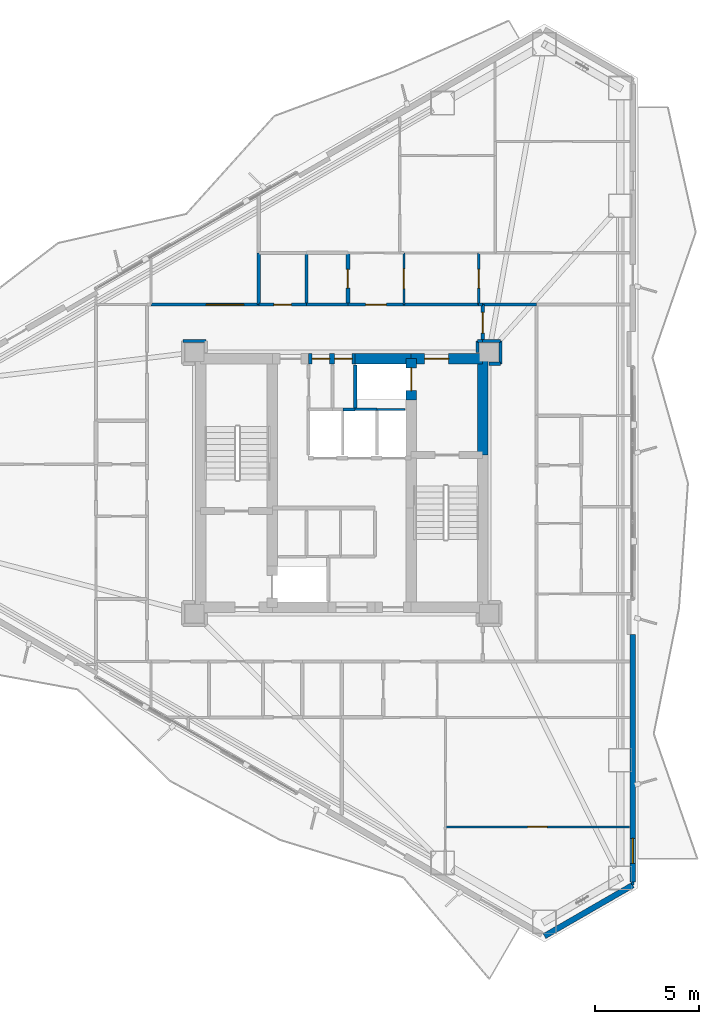
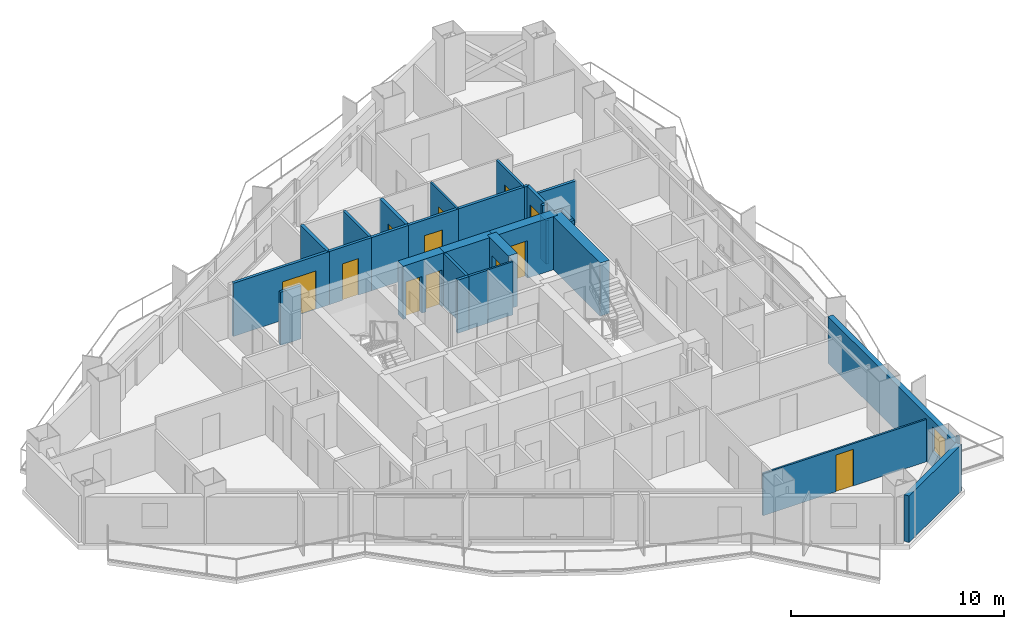
# One storey, part 18 of 23: 32 walls, 12 doors, 1 window, 13 openings.
"""IFC4 building model written with IfcOpenShell, lengths in metres."""

from ifc_helpers import new_model, si_unit, direction, frame, frame_2d, origin, place, context, subcontext, project, spatial, rectangle, extrude, material, layer, layer_set, type_object, element, fill, save


model = new_model("IFC4")

# Units and contexts
model_context = context("Model", 3, precision=1e-05, world=origin(), true_north=direction((0.0, 1.0)))
body_context = subcontext(model_context, "Body", "Model", "MODEL_VIEW")
ifc_project = project(units=[si_unit("LENGTHUNIT", "METRE"), si_unit("AREAUNIT", "SQUARE_METRE"), si_unit("VOLUMEUNIT", "CUBIC_METRE"), si_unit("PLANEANGLEUNIT", "RADIAN"), si_unit("MASSUNIT", "GRAM", prefix="KILO")], contexts=[model_context])

# Site, building, storey
site_placement = place(None, origin())
site = spatial("IfcSite", under=ifc_project, at=site_placement, CompositionType="ELEMENT")
building_placement = place(site_placement, origin())
building = spatial("IfcBuilding", under=site, at=building_placement, Name="Mersakhor Tower and Convention Hall", CompositionType="ELEMENT")
storey_placement = place(building_placement, frame((0.0, 0.0, 80.10009765625)))
storey = spatial("IfcBuildingStorey", under=building, at=storey_placement, Name="L21", CompositionType="ELEMENT", Elevation=80.10009765625)

# Wall
ifc_material_1 = material(Name="Precast concrete C45/55", Category="concrete")
ifc_layer_1 = layer(ifc_material_1, 0.27490234375)
ifc_layer_set_1 = layer_set([ifc_layer_1], Name="Precast concrete C45/55")
wall_type_1 = type_object("IfcWallType", Name="WL-EXT-275", PredefinedType="SOLIDWALL", material=ifc_layer_set_1)
wall_1_placement = place(storey_placement, frame((43.03466796875, 7.355712890625, 0.0), z_axis=(0.0, 0.0, 1.0), x_axis=(-0.866011848704, -0.500023477353, 0.0)))
element("IfcWall", 1, at=wall_1_placement, inside=storey, type_object=wall_type_1, Name="L21 Chamfer Braced Spandrel Wall C2", PredefinedType="SOLIDWALL", context=body_context, shape_type="SweptSolid", body=[
    extrude(rectangle(XDim=4.914306640625, YDim=0.27490234375, at=frame_2d((2.45703125, 0.0))), origin(), (0.0, 0.0, 1.0), 2.669921875),
])

# Wall, opening, window
wall_2_placement = place(storey_placement, frame((43.03466796875, 19.435302734375, 0.0), z_axis=(0.0, 0.0, 1.0), x_axis=(0.0, -1.0, 0.0)))
wall_2 = element("IfcWall", 2, at=wall_2_placement, inside=storey, type_object=wall_type_1, Name="L21 Exterior Facade Wall F2-B3", PredefinedType="SOLIDWALL", context=body_context, shape_type="SweptSolid", body=[
    extrude(rectangle(XDim=11.9296875, YDim=0.27490234375, at=frame_2d((5.96484375, 0.0))), origin(), (0.0, 0.0, 1.0), 2.669921875),
])
opening_1_placement = place(wall_2_placement, frame((9.825927734375, 0.0, 0.89990234375)))
opening_1 = element("IfcOpeningElement", 3, at=opening_1_placement, cuts=wall_2, Name="Opening W-01", PredefinedType="OPENING", context=body_context, shape_type="SweptSolid", body=[
    extrude(rectangle(XDim=1.199951171875, YDim=1.39990234375, at=frame_2d((0.60009765625, 0.699951171875))), frame((0.0, 0.1474609375, 0.0), z_axis=(0.0, -1.0, 0.0), x_axis=(1.0, 0.0, 0.0)), (0.0, 0.0, 1.0), 0.294921875),
])
ifc_material_2 = material(Name="Dark solar low-E glazed aluminium window", Category="aluminium")
window_type = type_object("IfcWindowType", Name="WN-RES-120x150", PartitioningType="SINGLE_PANEL", PredefinedType="WINDOW", material=ifc_material_2)
window_placement = place(opening_1_placement, origin())
window = element("IfcWindow", 4, at=window_placement, inside=storey, type_object=window_type, Name="L21 Bedroom Facade Window F2-B3-1", OverallHeight=1.39990234375, OverallWidth=1.199951171875, PartitioningType="SINGLE_PANEL", PredefinedType="WINDOW", context=body_context, shape_type="SweptSolid", body=[
    extrude(rectangle(XDim=1.199951171875, YDim=1.39990234375, at=frame_2d((0.60009765625, 0.699951171875))), frame((0.0, 0.030029296875, 0.0), z_axis=(0.0, -1.0, 0.0), x_axis=(1.0, 0.0, 0.0)), (0.0, 0.0, 1.0), 0.06005859375),
])
fill(opening_1, window)

# Wall, opening, door
ifc_material_3 = material(Name="Moisture-resistant acoustic drywall studwork", Category="other")
ifc_layer_2 = layer(ifc_material_3, 0.175048828125)
ifc_layer_set_2 = layer_set([ifc_layer_2], Name="Moisture-resistant acoustic drywall studwork")
wall_type_2 = type_object("IfcWallType", Name="WL-PLM-175", PredefinedType="PLUMBINGWALL", material=ifc_layer_set_2)
wall_3_placement = place(storey_placement, frame((29.300048828125, 35.35009765625, 0.0), z_axis=(0.0, 0.0, 1.0), x_axis=(0.0, 1.0, 0.0)))
wall_3 = element("IfcWall", 5, at=wall_3_placement, inside=storey, type_object=wall_type_2, Name="L21 Interior Partition Wall P-069", PredefinedType="PLUMBINGWALL", context=body_context, shape_type="SweptSolid", body=[
    extrude(rectangle(XDim=2.5, YDim=0.175048828125, at=frame_2d((1.25, 0.0))), origin(), (0.0, 0.0, 1.0), 3.0498046875),
])
opening_2_placement = place(wall_3_placement, frame((0.800048828125, 0.0, 0.0)))
opening_2 = element("IfcOpeningElement", 6, at=opening_2_placement, cuts=wall_3, Name="Opening WD-01", PredefinedType="OPENING", context=body_context, shape_type="SweptSolid", body=[
    extrude(rectangle(XDim=0.89990234375, YDim=2.10009765625, at=frame_2d((0.449951171875, 1.050048828125))), frame((0.0, 0.097412109375, 0.0), z_axis=(0.0, -1.0, 0.0), x_axis=(1.0, 0.0, 0.0)), (0.0, 0.0, 1.0), 0.195068359375),
])
ifc_material_4 = material(Name="Solid-core hardwood leaf in painted steel frame", Category="steel")
door_type_1 = type_object("IfcDoorType", Name="DR-INT-WET-090x210", OperationType="NOTDEFINED", PredefinedType="DOOR", material=ifc_material_4)
door_1_placement = place(opening_2_placement, origin())
door_1 = element("IfcDoor", 7, at=door_1_placement, inside=storey, type_object=door_type_1, Name="L21 L21 Flat N1 Apartment Hall to L21 Flat N1 Bathroom Door", OperationType="SINGLE_SWING_LEFT", OverallHeight=2.10009765625, OverallWidth=0.89990234375, PredefinedType="DOOR", context=body_context, shape_type="SweptSolid", body=[
    extrude(rectangle(XDim=0.89990234375, YDim=2.10009765625, at=frame_2d((0.449951171875, 1.050048828125))), frame((0.0, 0.02490234375, 0.0), z_axis=(0.0, -1.0, 0.0), x_axis=(1.0, 0.0, 0.0)), (0.0, 0.0, 1.0), 0.050048828125),
])
fill(opening_2, door_1)

# Walls
wall_4_placement = place(storey_placement, frame((25.0, 35.35009765625, 0.0), z_axis=(0.0, 0.0, 1.0), x_axis=(0.0, 1.0, 0.0)))
element("IfcWall", 8, at=wall_4_placement, inside=storey, type_object=wall_type_2, Name="L21 Interior Partition Wall P-082", PredefinedType="PLUMBINGWALL", context=body_context, shape_type="SweptSolid", body=[
    extrude(rectangle(XDim=2.5, YDim=0.175048828125, at=frame_2d((1.25, 0.0))), origin(), (0.0, 0.0, 1.0), 3.0498046875),
])
ifc_material_5 = material(Name="Lightweight gypsum partition", Category="other")
ifc_layer_3 = layer(ifc_material_5, 0.10009765625)
ifc_layer_set_3 = layer_set([ifc_layer_3], Name="Lightweight gypsum partition")
wall_type_3 = type_object("IfcWallType", Name="WL-PRT-100", PredefinedType="PARTITIONING", material=ifc_layer_set_3)
wall_5_placement = place(storey_placement, frame((32.050048828125, 30.300048828125, 0.0), z_axis=(0.0, 0.0, 1.0), x_axis=(-1.0, 0.0, 0.0)))
element("IfcWall", 9, at=wall_5_placement, inside=storey, type_object=wall_type_3, Name="L21 Interior Partition Wall P-004", PredefinedType="PARTITIONING", context=body_context, shape_type="SweptSolid", body=[
    extrude(rectangle(XDim=1.35009765625, YDim=0.10009765625, at=frame_2d((0.675048828125, 0.0))), origin(), (0.0, 0.0, 1.0), 3.0498046875),
])

# Wall, opening, door
wall_6_placement = place(storey_placement, frame((32.0, 37.85009765625, 0.0), z_axis=(0.0, 0.0, 1.0), x_axis=(0.0, -1.0, 0.0)))
wall_6 = element("IfcWall", 10, at=wall_6_placement, inside=storey, type_object=wall_type_3, Name="L21 Interior Partition Wall P-068", PredefinedType="PARTITIONING", context=body_context, shape_type="SweptSolid", body=[
    extrude(rectangle(XDim=2.5, YDim=0.10009765625, at=frame_2d((1.25, 0.0))), origin(), (0.0, 0.0, 1.0), 3.0498046875),
])
opening_3_placement = place(wall_6_placement, frame((0.77490234375, 0.0, 0.0)))
opening_3 = element("IfcOpeningElement", 11, at=opening_3_placement, cuts=wall_6, Name="Opening RD-01", PredefinedType="OPENING", context=body_context, shape_type="SweptSolid", body=[
    extrude(rectangle(XDim=0.949951171875, YDim=2.10009765625, at=frame_2d((0.47509765625, 1.050048828125))), frame((0.0, 0.06005859375, 0.0), z_axis=(0.0, -1.0, 0.0), x_axis=(1.0, 0.0, 0.0)), (0.0, 0.0, 1.0), 0.1201171875),
])
ifc_material_6 = material(Name="Solid-core hardwood leaf in painted steel frame", Category="steel")
door_type_2 = type_object("IfcDoorType", Name="DR-INT-RM-095x210", OperationType="NOTDEFINED", PredefinedType="DOOR", material=ifc_material_6)
door_2_placement = place(opening_3_placement, origin())
door_2 = element("IfcDoor", 12, at=door_2_placement, inside=storey, type_object=door_type_2, Name="L21 L21 Flat N1 Apartment Hall to L21 Flat N1 Kitchen Door", OperationType="SINGLE_SWING_RIGHT", OverallHeight=2.10009765625, OverallWidth=0.949951171875, PredefinedType="DOOR", context=body_context, shape_type="SweptSolid", body=[
    extrude(rectangle(XDim=0.949951171875, YDim=2.10009765625, at=frame_2d((0.47509765625, 1.050048828125))), frame((0.0, 0.02490234375, 0.0), z_axis=(0.0, -1.0, 0.0), x_axis=(1.0, 0.0, 0.0)), (0.0, 0.0, 1.0), 0.050048828125),
])
fill(opening_3, door_2)

wall_7_placement = place(storey_placement, frame((34.0, 10.169921875, 0.0), z_axis=(0.0, 0.0, 1.0), x_axis=(1.0, 0.0, 0.0)))
wall_7 = element("IfcWall", 13, at=wall_7_placement, inside=storey, type_object=wall_type_3, Name="L21 Interior Partition Wall P-130", PredefinedType="PARTITIONING", context=body_context, shape_type="SweptSolid", body=[
    extrude(rectangle(XDim=8.873046875, YDim=0.10009765625, at=frame_2d((4.4365234375, 0.0))), origin(), (0.0, 0.0, 1.0), 2.422607421875),
])
opening_4_placement = place(wall_7_placement, frame((3.961669921875, 0.0, 0.0)))
opening_4 = element("IfcOpeningElement", 14, at=opening_4_placement, cuts=wall_7, Name="Opening RD-01", PredefinedType="OPENING", context=body_context, shape_type="SweptSolid", body=[
    extrude(rectangle(XDim=0.949951171875, YDim=2.10009765625, at=frame_2d((0.47509765625, 1.050048828125))), frame((0.0, 0.06005859375, 0.0), z_axis=(0.0, -1.0, 0.0), x_axis=(1.0, 0.0, 0.0)), (0.0, 0.0, 1.0), 0.1201171875),
])
door_3_placement = place(opening_4_placement, origin())
door_3 = element("IfcDoor", 15, at=door_3_placement, inside=storey, type_object=door_type_2, Name="L21 L21 Flat S3 Bedroom 1 to L21 Flat S3 Dining Room Door", OperationType="SINGLE_SWING_LEFT", OverallHeight=2.10009765625, OverallWidth=0.949951171875, PredefinedType="DOOR", context=body_context, shape_type="SweptSolid", body=[
    extrude(rectangle(XDim=0.949951171875, YDim=2.10009765625, at=frame_2d((0.47509765625, 1.050048828125))), frame((0.0, 0.02490234375, 0.0), z_axis=(0.0, -1.0, 0.0), x_axis=(1.0, 0.0, 0.0)), (0.0, 0.0, 1.0), 0.050048828125),
])
fill(opening_4, door_3)

# Wall
ifc_material_7 = material(Name="Gypsum board acoustic partition", Category="other")
ifc_layer_4 = layer(ifc_material_7, 0.125)
ifc_layer_set_4 = layer_set([ifc_layer_4], Name="Gypsum board acoustic partition")
wall_type_4 = type_object("IfcWallType", Name="WL-PRT-125", PredefinedType="PARTITIONING", material=ifc_layer_set_4)
wall_8_placement = place(storey_placement, frame((30.699951171875, 30.300048828125, 0.0), z_axis=(0.0, 0.0, 1.0), x_axis=(-1.0, 0.0, 0.0)))
element("IfcWall", 16, at=wall_8_placement, inside=storey, type_object=wall_type_4, Name="L21 Interior Partition Wall P-005", PredefinedType="PARTITIONING", context=body_context, shape_type="SweptSolid", body=[
    extrude(rectangle(XDim=1.050048828125, YDim=0.125, at=frame_2d((0.52490234375, 0.0))), origin(), (0.0, 0.0, 1.0), 3.0498046875),
])

# Wall, opening, door
wall_9_placement = place(storey_placement, frame((35.60009765625, 37.85009765625, 0.0), z_axis=(0.0, 0.0, 1.0), x_axis=(0.0, -1.0, 0.0)))
wall_9 = element("IfcWall", 17, at=wall_9_placement, inside=storey, type_object=wall_type_4, Name="L21 Interior Partition Wall P-085", PredefinedType="PARTITIONING", context=body_context, shape_type="SweptSolid", body=[
    extrude(rectangle(XDim=2.5, YDim=0.125, at=frame_2d((1.25, 0.0))), origin(), (0.0, 0.0, 1.0), 3.0498046875),
])
opening_5_placement = place(wall_9_placement, frame((0.800048828125, 0.0, 0.0)))
opening_5 = element("IfcOpeningElement", 18, at=opening_5_placement, cuts=wall_9, Name="Opening WD-01", PredefinedType="OPENING", context=body_context, shape_type="SweptSolid", body=[
    extrude(rectangle(XDim=0.89990234375, YDim=2.10009765625, at=frame_2d((0.449951171875, 1.050048828125))), frame((0.0, 0.072509765625, 0.0), z_axis=(0.0, -1.0, 0.0), x_axis=(1.0, 0.0, 0.0)), (0.0, 0.0, 1.0), 0.14501953125),
])
door_4_placement = place(opening_5_placement, origin())
door_4 = element("IfcDoor", 19, at=door_4_placement, inside=storey, type_object=door_type_1, Name="L21 L21 Flat N1 Kitchen to L21 Flat N1 Study Room Door", OperationType="SINGLE_SWING_RIGHT", OverallHeight=2.10009765625, OverallWidth=0.89990234375, PredefinedType="DOOR", context=body_context, shape_type="SweptSolid", body=[
    extrude(rectangle(XDim=0.89990234375, YDim=2.10009765625, at=frame_2d((0.449951171875, 1.050048828125))), frame((0.0, 0.02490234375, 0.0), z_axis=(0.0, -1.0, 0.0), x_axis=(1.0, 0.0, 0.0)), (0.0, 0.0, 1.0), 0.050048828125),
])
fill(opening_5, door_4)

# Walls
wall_10_placement = place(storey_placement, frame((43.034912109375, 7.505615234375, 0.0), z_axis=(0.0, 0.0, 1.0), x_axis=(0.0, -1.0, 0.0)))
element("IfcWall", 20, at=wall_10_placement, inside=storey, type_object=wall_type_4, Name="L21 Interior Partition Wall P-131", PredefinedType="PARTITIONING", context=body_context, shape_type="SweptSolid", body=[
    extrude(rectangle(XDim=0.149658203125, YDim=0.125, at=frame_2d((0.07470703125, 0.0))), origin(), (0.0, 0.0, 1.0), 3.0498046875),
])
ifc_material_8 = material(Name="Fire-rated gypsum board stud partition", Category="other")
ifc_layer_5 = layer(ifc_material_8, 0.14990234375)
ifc_layer_set_5 = layer_set([ifc_layer_5], Name="Fire-rated gypsum board stud partition")
wall_type_5 = type_object("IfcWallType", Name="WL-PRT-150", PredefinedType="PARTITIONING", material=ifc_layer_set_5)
wall_11_placement = place(storey_placement, frame((29.64990234375, 30.300048828125, 0.0), z_axis=(0.0, 0.0, 1.0), x_axis=(0.0, 1.0, 0.0)))
element("IfcWall", 21, at=wall_11_placement, inside=storey, type_object=wall_type_5, Name="L21 Interior Partition Wall P-006", PredefinedType="PARTITIONING", context=body_context, shape_type="SweptSolid", body=[
    extrude(rectangle(XDim=2.14990234375, YDim=0.14990234375, at=frame_2d((1.074951171875, 0.0))), origin(), (0.0, 0.0, 1.0), 3.0498046875),
])
wall_12_placement = place(storey_placement, frame((29.050048828125, 30.300048828125, 0.0), z_axis=(0.0, 0.0, 1.0), x_axis=(1.0, 0.0, 0.0)))
element("IfcWall", 22, at=wall_12_placement, inside=storey, type_object=wall_type_5, Name="L21 Interior Partition Wall P-016", PredefinedType="PARTITIONING", context=body_context, shape_type="SweptSolid", body=[
    extrude(rectangle(XDim=0.599853515625, YDim=0.14990234375, at=frame_2d((0.2998046875, 0.0))), origin(), (0.0, 0.0, 1.0), 3.0498046875),
])

# Wall, opening, door
wall_13_placement = place(storey_placement, frame((19.800048828125, 35.35009765625, 0.0), z_axis=(0.0, 0.0, 1.0), x_axis=(1.0, 0.0, 0.0)))
wall_13 = element("IfcWall", 23, at=wall_13_placement, inside=storey, type_object=wall_type_5, Name="L21 Interior Partition Wall P-038", PredefinedType="PARTITIONING", context=body_context, shape_type="SweptSolid", body=[
    extrude(rectangle(XDim=5.199951171875, YDim=0.14990234375, at=frame_2d((2.60009765625, 0.0))), origin(), (0.0, 0.0, 1.0), 3.0498046875),
])
opening_6_placement = place(wall_13_placement, frame((2.672119140625, 0.0, 0.0)))
opening_6 = element("IfcOpeningElement", 24, at=opening_6_placement, cuts=wall_13, Name="Opening HD-01", PredefinedType="OPENING", context=body_context, shape_type="SweptSolid", body=[
    extrude(rectangle(XDim=1.800048828125, YDim=2.199951171875, at=frame_2d((0.89990234375, 1.10009765625))), frame((0.0, 0.0849609375, 0.0), z_axis=(0.0, -1.0, 0.0), x_axis=(1.0, 0.0, 0.0)), (0.0, 0.0, 1.0), 0.169921875),
])
ifc_material_9 = material(Name="Fire-rated hardwood leaf and painted steel frame", Category="steel")
door_type_3 = type_object("IfcDoorType", Name="DR-INT-HALL-180x220", OperationType="NOTDEFINED", PredefinedType="DOOR", material=ifc_material_9)
door_5_placement = place(opening_6_placement, origin())
door_5 = element("IfcDoor", 25, at=door_5_placement, inside=storey, type_object=door_type_3, Name="L21 Residential Ring Corridor to L21 North Floor Residents Meeting Room Door", OperationType="DOUBLE_DOOR_SINGLE_SWING", OverallHeight=2.199951171875, OverallWidth=1.800048828125, PredefinedType="DOOR", context=body_context, shape_type="SweptSolid", body=[
    extrude(rectangle(XDim=1.800048828125, YDim=2.199951171875, at=frame_2d((0.89990234375, 1.10009765625))), frame((0.0, 0.02490234375, 0.0), z_axis=(0.0, -1.0, 0.0), x_axis=(1.0, 0.0, 0.0)), (0.0, 0.0, 1.0), 0.050048828125),
])
fill(opening_6, door_5)

wall_14_placement = place(storey_placement, frame((25.0, 35.35009765625, 0.0), z_axis=(0.0, 0.0, 1.0), x_axis=(1.0, 0.0, 0.0)))
wall_14 = element("IfcWall", 26, at=wall_14_placement, inside=storey, type_object=wall_type_5, Name="L21 Interior Partition Wall P-039", PredefinedType="PARTITIONING", context=body_context, shape_type="SweptSolid", body=[
    extrude(rectangle(XDim=2.300048828125, YDim=0.14990234375, at=frame_2d((1.14990234375, 0.0))), origin(), (0.0, 0.0, 1.0), 3.0498046875),
])
opening_7_placement = place(wall_14_placement, frame((0.72509765625, 0.0, 0.0)))
opening_7 = element("IfcOpeningElement", 27, at=opening_7_placement, cuts=wall_14, Name="Opening SVD-01", PredefinedType="OPENING", context=body_context, shape_type="SweptSolid", body=[
    extrude(rectangle(XDim=0.85009765625, YDim=2.10009765625, at=frame_2d((0.425048828125, 1.050048828125))), frame((0.0, 0.0849609375, 0.0), z_axis=(0.0, -1.0, 0.0), x_axis=(1.0, 0.0, 0.0)), (0.0, 0.0, 1.0), 0.169921875),
])
ifc_material_10 = material(Name="Fire-rated hardwood leaf and painted steel frame", Category="steel")
door_type_4 = type_object("IfcDoorType", Name="DR-INT-SVC-085x210", OperationType="NOTDEFINED", PredefinedType="DOOR", material=ifc_material_10)
door_6_placement = place(opening_7_placement, origin())
door_6 = element("IfcDoor", 28, at=door_6_placement, inside=storey, type_object=door_type_4, Name="L21 Residential Ring Corridor to L21 North Floor Accessible Toilet WC Door", OperationType="SINGLE_SWING_LEFT", OverallHeight=2.10009765625, OverallWidth=0.85009765625, PredefinedType="DOOR", context=body_context, shape_type="SweptSolid", body=[
    extrude(rectangle(XDim=0.85009765625, YDim=2.10009765625, at=frame_2d((0.425048828125, 1.050048828125))), frame((0.0, 0.02490234375, 0.0), z_axis=(0.0, -1.0, 0.0), x_axis=(1.0, 0.0, 0.0)), (0.0, 0.0, 1.0), 0.050048828125),
])
fill(opening_7, door_6)

# Wall
wall_15_placement = place(storey_placement, frame((27.300048828125, 35.35009765625, 0.0), z_axis=(0.0, 0.0, 1.0), x_axis=(1.0, 0.0, 0.0)))
element("IfcWall", 29, at=wall_15_placement, inside=storey, type_object=wall_type_5, Name="L21 Interior Partition Wall P-040", PredefinedType="PARTITIONING", context=body_context, shape_type="SweptSolid", body=[
    extrude(rectangle(XDim=2.0, YDim=0.14990234375, at=frame_2d((1.0, 0.0))), origin(), (0.0, 0.0, 1.0), 3.0498046875),
])

# Wall, opening, door
wall_16_placement = place(storey_placement, frame((29.300048828125, 35.35009765625, 0.0), z_axis=(0.0, 0.0, 1.0), x_axis=(1.0, 0.0, 0.0)))
wall_16 = element("IfcWall", 30, at=wall_16_placement, inside=storey, type_object=wall_type_5, Name="L21 Interior Partition Wall P-041", PredefinedType="PARTITIONING", context=body_context, shape_type="SweptSolid", body=[
    extrude(rectangle(XDim=2.699951171875, YDim=0.14990234375, at=frame_2d((1.35009765625, 0.0))), origin(), (0.0, 0.0, 1.0), 3.0498046875),
])
opening_8_placement = place(wall_16_placement, frame((0.85009765625, 0.0, 0.0)))
opening_8 = element("IfcOpeningElement", 31, at=opening_8_placement, cuts=wall_16, Name="Opening FD-01", PredefinedType="OPENING", context=body_context, shape_type="SweptSolid", body=[
    extrude(rectangle(XDim=1.0, YDim=2.14990234375, at=frame_2d((0.5, 1.074951171875))), frame((0.0, 0.0849609375, 0.0), z_axis=(0.0, -1.0, 0.0), x_axis=(1.0, 0.0, 0.0)), (0.0, 0.0, 1.0), 0.169921875),
])
ifc_material_11 = material(Name="Fire-rated hardwood leaf and painted steel frame", Category="steel")
door_type_5 = type_object("IfcDoorType", Name="DR-INT-FLT-100x215", OperationType="NOTDEFINED", PredefinedType="DOOR", material=ifc_material_11)
door_7_placement = place(opening_8_placement, origin())
door_7 = element("IfcDoor", 32, at=door_7_placement, inside=storey, type_object=door_type_5, Name="L21 Apartment Entrance Door (Residential Ring Corridor to L21 Flat N1 Apartment Hall)", OperationType="SINGLE_SWING_RIGHT", OverallHeight=2.14990234375, OverallWidth=1.0, PredefinedType="DOOR", context=body_context, shape_type="SweptSolid", body=[
    extrude(rectangle(XDim=1.0, YDim=2.14990234375, at=frame_2d((0.5, 1.074951171875))), frame((0.0, 0.02490234375, 0.0), z_axis=(0.0, -1.0, 0.0), x_axis=(1.0, 0.0, 0.0)), (0.0, 0.0, 1.0), 0.050048828125),
])
fill(opening_8, door_7)

# Walls
wall_17_placement = place(storey_placement, frame((32.0, 35.35009765625, 0.0), z_axis=(0.0, 0.0, 1.0), x_axis=(1.0, 0.0, 0.0)))
element("IfcWall", 33, at=wall_17_placement, inside=storey, type_object=wall_type_5, Name="L21 Interior Partition Wall P-042", PredefinedType="PARTITIONING", context=body_context, shape_type="SweptSolid", body=[
    extrude(rectangle(XDim=3.60009765625, YDim=0.14990234375, at=frame_2d((1.800048828125, 0.0))), origin(), (0.0, 0.0, 1.0), 3.0498046875),
])
wall_18_placement = place(storey_placement, frame((35.60009765625, 35.35009765625, 0.0), z_axis=(0.0, 0.0, 1.0), x_axis=(1.0, 0.0, 0.0)))
element("IfcWall", 34, at=wall_18_placement, inside=storey, type_object=wall_type_5, Name="L21 Interior Partition Wall P-043", PredefinedType="PARTITIONING", context=body_context, shape_type="SweptSolid", body=[
    extrude(rectangle(XDim=0.199951171875, YDim=0.14990234375, at=frame_2d((0.10009765625, 0.0))), origin(), (0.0, 0.0, 1.0), 3.0498046875),
])

# Wall, opening, door
wall_19_placement = place(storey_placement, frame((35.800048828125, 35.35009765625, 0.0), z_axis=(0.0, 0.0, 1.0), x_axis=(0.0, -1.0, 0.0)))
wall_19 = element("IfcWall", 35, at=wall_19_placement, inside=storey, type_object=wall_type_5, Name="L21 Interior Partition Wall P-044", PredefinedType="PARTITIONING", context=body_context, shape_type="SweptSolid", body=[
    extrude(rectangle(XDim=1.75, YDim=0.14990234375, at=frame_2d((0.875, 0.0))), origin(), (0.0, 0.0, 1.0), 3.0498046875),
])
opening_9_placement = place(wall_19_placement, frame((0.375, 0.0, 0.0)))
opening_9 = element("IfcOpeningElement", 36, at=opening_9_placement, cuts=wall_19, Name="Opening FD-01", PredefinedType="OPENING", context=body_context, shape_type="SweptSolid", body=[
    extrude(rectangle(XDim=1.0, YDim=2.14990234375, at=frame_2d((0.5, 1.074951171875))), frame((0.0, 0.0849609375, 0.0), z_axis=(0.0, -1.0, 0.0), x_axis=(1.0, 0.0, 0.0)), (0.0, 0.0, 1.0), 0.169921875),
])
door_8_placement = place(opening_9_placement, origin())
door_8 = element("IfcDoor", 37, at=door_8_placement, inside=storey, type_object=door_type_5, Name="L21 Ring Corridor Fire Door", OperationType="SINGLE_SWING_LEFT", OverallHeight=2.14990234375, OverallWidth=1.0, PredefinedType="DOOR", context=body_context, shape_type="SweptSolid", body=[
    extrude(rectangle(XDim=1.0, YDim=2.14990234375, at=frame_2d((0.5, 1.074951171875))), frame((0.0, 0.02490234375, 0.0), z_axis=(0.0, -1.0, 0.0), x_axis=(1.0, 0.0, 0.0)), (0.0, 0.0, 1.0), 0.050048828125),
])
fill(opening_9, door_8)

# Walls
wall_20_placement = place(storey_placement, frame((35.800048828125, 33.60009765625, 0.0), z_axis=(0.0, 0.0, 1.0), x_axis=(-1.0, 0.0, 0.0)))
element("IfcWall", 38, at=wall_20_placement, inside=storey, type_object=wall_type_5, Name="L21 Interior Partition Wall P-045", PredefinedType="PARTITIONING", context=body_context, shape_type="SweptSolid", body=[
    extrude(rectangle(XDim=0.25, YDim=0.14990234375, at=frame_2d((0.125, 0.0))), origin(), (0.0, 0.0, 1.0), 3.0498046875),
])
wall_21_placement = place(storey_placement, frame((35.550048828125, 33.60009765625, 0.0), z_axis=(0.0, 0.0, 1.0), x_axis=(0.0, -1.0, 0.0)))
element("IfcWall", 39, at=wall_21_placement, inside=storey, type_object=wall_type_5, Name="L21 Interior Partition Wall P-046", PredefinedType="PARTITIONING", context=body_context, shape_type="SweptSolid", body=[
    extrude(rectangle(XDim=0.550048828125, YDim=0.14990234375, at=frame_2d((0.27490234375, 0.0))), origin(), (0.0, 0.0, 1.0), 2.498291015625),
])
wall_22_placement = place(storey_placement, frame((22.449951171875, 33.60009765625, 0.0), z_axis=(0.0, 0.0, 1.0), x_axis=(-1.0, 0.0, 0.0)))
element("IfcWall", 40, at=wall_22_placement, inside=storey, type_object=wall_type_5, Name="L21 Interior Partition Wall P-048", PredefinedType="PARTITIONING", context=body_context, shape_type="SweptSolid", body=[
    extrude(rectangle(XDim=1.099853515625, YDim=0.14990234375, at=frame_2d((0.5498046875, 0.0))), origin(), (0.0, 0.0, 1.0), 3.0498046875),
])
wall_23_placement = place(storey_placement, frame((36.10009765625, 32.5, 0.0), z_axis=(0.0, 0.0, 1.0), x_axis=(1.0, 0.0, 0.0)))
element("IfcWall", 41, at=wall_23_placement, inside=storey, type_object=wall_type_5, Name="L21 Interior Partition Wall P-054", PredefinedType="PARTITIONING", context=body_context, shape_type="SweptSolid", body=[
    extrude(rectangle(XDim=0.5498046875, YDim=0.14990234375, at=frame_2d((0.27490234375, 0.0))), origin(), (0.0, 0.0, 1.0), 2.498291015625),
])
wall_24_placement = place(storey_placement, frame((36.64990234375, 32.5, 0.0), z_axis=(0.0, 0.0, 1.0), x_axis=(0.0, 1.0, 0.0)))
element("IfcWall", 42, at=wall_24_placement, inside=storey, type_object=wall_type_5, Name="L21 Interior Partition Wall P-055", PredefinedType="PARTITIONING", context=body_context, shape_type="SweptSolid", body=[
    extrude(rectangle(XDim=1.10009765625, YDim=0.14990234375, at=frame_2d((0.550048828125, 0.0))), origin(), (0.0, 0.0, 1.0), 2.422607421875),
])
wall_25_placement = place(storey_placement, frame((36.64990234375, 33.60009765625, 0.0), z_axis=(0.0, 0.0, 1.0), x_axis=(-1.0, 0.0, 0.0)))
element("IfcWall", 43, at=wall_25_placement, inside=storey, type_object=wall_type_5, Name="L21 Interior Partition Wall P-056", PredefinedType="PARTITIONING", context=body_context, shape_type="SweptSolid", body=[
    extrude(rectangle(XDim=0.849853515625, YDim=0.14990234375, at=frame_2d((0.4248046875, 0.0))), origin(), (0.0, 0.0, 1.0), 2.422607421875),
])
wall_26_placement = place(storey_placement, frame((35.800048828125, 35.35009765625, 0.0), z_axis=(0.0, 0.0, 1.0), x_axis=(1.0, 0.0, 0.0)))
element("IfcWall", 44, at=wall_26_placement, inside=storey, type_object=wall_type_5, Name="L21 Interior Partition Wall P-057", PredefinedType="PARTITIONING", context=body_context, shape_type="SweptSolid", body=[
    extrude(rectangle(XDim=2.599853515625, YDim=0.14990234375, at=frame_2d((1.2998046875, 0.0))), origin(), (0.0, 0.0, 1.0), 2.422607421875),
])
wall_27_placement = place(storey_placement, frame((27.300048828125, 37.85009765625, 0.0), z_axis=(0.0, 0.0, 1.0), x_axis=(0.0, -1.0, 0.0)))
element("IfcWall", 45, at=wall_27_placement, inside=storey, type_object=wall_type_5, Name="L21 Interior Partition Wall P-081", PredefinedType="PARTITIONING", context=body_context, shape_type="SweptSolid", body=[
    extrude(rectangle(XDim=2.5, YDim=0.14990234375, at=frame_2d((1.25, 0.0))), origin(), (0.0, 0.0, 1.0), 3.0498046875),
])

# Wall, openings, doors
ifc_material_12 = material(Name="Concrete C70/85", Category="concrete")
ifc_layer_6 = layer(ifc_material_12, 0.5)
ifc_layer_set_6 = layer_set([ifc_layer_6], Name="Concrete C70/85")
wall_type_6 = type_object("IfcWallType", Name="WL-SHR-500", PredefinedType="SHEAR", material=ifc_layer_set_6)
wall_28_placement = place(storey_placement, frame((27.39990234375, 32.75, 0.0), z_axis=(0.0, 0.0, 1.0), x_axis=(1.0, 0.0, 0.0)))
wall_28 = element("IfcWall", 46, at=wall_28_placement, inside=storey, type_object=wall_type_6, Name="L21 Core Wall CW-N2B", PredefinedType="SHEAR", context=body_context, shape_type="SweptSolid", body=[
    extrude(rectangle(XDim=2.25, YDim=0.5, at=frame_2d((1.125, 0.0))), origin(), (0.0, 0.0, 1.0), 3.0498046875),
])
opening_10_placement = place(wall_28_placement, frame((0.169921875, 0.0, 0.0)))
opening_10 = element("IfcOpeningElement", 47, at=opening_10_placement, cuts=wall_28, Name="Opening SVD-01", PredefinedType="OPENING", context=body_context, shape_type="SweptSolid", body=[
    extrude(rectangle(XDim=0.85009765625, YDim=2.10009765625, at=frame_2d((0.425048828125, 1.050048828125))), frame((0.0, 0.260009765625, 0.0), z_axis=(0.0, -1.0, 0.0), x_axis=(1.0, 0.0, 0.0)), (0.0, 0.0, 1.0), 0.52001953125),
])
opening_11_placement = place(wall_28_placement, frame((1.2548828125, 0.0, 0.0)))
opening_11 = element("IfcOpeningElement", 48, at=opening_11_placement, cuts=wall_28, Name="Opening SVD-01", PredefinedType="OPENING", context=body_context, shape_type="SweptSolid", body=[
    extrude(rectangle(XDim=0.85009765625, YDim=2.10009765625, at=frame_2d((0.425048828125, 1.050048828125))), frame((0.0, 0.260009765625, 0.0), z_axis=(0.0, -1.0, 0.0), x_axis=(1.0, 0.0, 0.0)), (0.0, 0.0, 1.0), 0.52001953125),
])
door_9_placement = place(opening_10_placement, origin())
door_9 = element("IfcDoor", 49, at=door_9_placement, inside=storey, type_object=door_type_4, Name="L21 Residential Ring Corridor to Telecoms Distribution Room Door", OperationType="SINGLE_SWING_LEFT", OverallHeight=2.10009765625, OverallWidth=0.85009765625, PredefinedType="DOOR", context=body_context, shape_type="SweptSolid", body=[
    extrude(rectangle(XDim=0.85009765625, YDim=2.10009765625, at=frame_2d((0.425048828125, 1.050048828125))), frame((0.0, 0.02490234375, 0.0), z_axis=(0.0, -1.0, 0.0), x_axis=(1.0, 0.0, 0.0)), (0.0, 0.0, 1.0), 0.050048828125),
])
fill(opening_10, door_9)
door_10_placement = place(opening_11_placement, origin())
door_10 = element("IfcDoor", 50, at=door_10_placement, inside=storey, type_object=door_type_4, Name="L21 Residential Ring Corridor to Floor Housekeeping Store Room Door", OperationType="SINGLE_SWING_RIGHT", OverallHeight=2.10009765625, OverallWidth=0.85009765625, PredefinedType="DOOR", context=body_context, shape_type="SweptSolid", body=[
    extrude(rectangle(XDim=0.85009765625, YDim=2.10009765625, at=frame_2d((0.425048828125, 1.050048828125))), frame((0.0, 0.02490234375, 0.0), z_axis=(0.0, -1.0, 0.0), x_axis=(1.0, 0.0, 0.0)), (0.0, 0.0, 1.0), 0.050048828125),
])
fill(opening_11, door_10)

# Wall
wall_29_placement = place(storey_placement, frame((29.64990234375, 32.75, 0.0), z_axis=(0.0, 0.0, 1.0), x_axis=(1.0, 0.0, 0.0)))
element("IfcWall", 51, at=wall_29_placement, inside=storey, type_object=wall_type_6, Name="L21 Core Wall CW-N3", PredefinedType="SHEAR", context=body_context, shape_type="SweptSolid", body=[
    extrude(rectangle(XDim=2.7001953125, YDim=0.5, at=frame_2d((1.35009765625, 0.0))), origin(), (0.0, 0.0, 1.0), 3.0498046875),
])

# Wall, opening, door
wall_30_placement = place(storey_placement, frame((32.35009765625, 32.75, 0.0), z_axis=(0.0, 0.0, 1.0), x_axis=(1.0, 0.0, 0.0)))
wall_30 = element("IfcWall", 52, at=wall_30_placement, inside=storey, type_object=wall_type_6, Name="L21 Core Wall CW-N4", PredefinedType="SHEAR", context=body_context, shape_type="SweptSolid", body=[
    extrude(rectangle(XDim=3.449951171875, YDim=0.5, at=frame_2d((1.72509765625, 0.0))), origin(), (0.0, 0.0, 1.0), 3.0498046875),
])
opening_12_placement = place(wall_30_placement, frame((0.64990234375, 0.0, 0.0)))
opening_12 = element("IfcOpeningElement", 53, at=opening_12_placement, cuts=wall_30, Name="Opening SD-01", PredefinedType="OPENING", context=body_context, shape_type="SweptSolid", body=[
    extrude(rectangle(XDim=1.14990234375, YDim=2.14990234375, at=frame_2d((0.574951171875, 1.074951171875))), frame((0.0, 0.260009765625, 0.0), z_axis=(0.0, -1.0, 0.0), x_axis=(1.0, 0.0, 0.0)), (0.0, 0.0, 1.0), 0.52001953125),
])
ifc_material_13 = material(Name="Fire-rated hardwood leaf and painted steel frame", Category="steel")
door_type_6 = type_object("IfcDoorType", Name="DR-INT-STAIR-115x215", OperationType="NOTDEFINED", PredefinedType="DOOR", material=ifc_material_13)
door_11_placement = place(opening_12_placement, origin())
door_11 = element("IfcDoor", 54, at=door_11_placement, inside=storey, type_object=door_type_6, Name="L21 Firefighting Lobby East Fire Door", OperationType="SINGLE_SWING_RIGHT", OverallHeight=2.14990234375, OverallWidth=1.14990234375, PredefinedType="DOOR", context=body_context, shape_type="SweptSolid", body=[
    extrude(rectangle(XDim=1.14990234375, YDim=2.14990234375, at=frame_2d((0.574951171875, 1.074951171875))), frame((0.0, 0.02490234375, 0.0), z_axis=(0.0, -1.0, 0.0), x_axis=(1.0, 0.0, 0.0)), (0.0, 0.0, 1.0), 0.050048828125),
])
fill(opening_12, door_11)

# Wall
wall_31_placement = place(storey_placement, frame((35.800048828125, 32.75, 0.0), z_axis=(0.0, 0.0, 1.0), x_axis=(0.0, -1.0, 0.0)))
element("IfcWall", 55, at=wall_31_placement, inside=storey, type_object=wall_type_6, Name="L21 Core Wall CW-E1", PredefinedType="SHEAR", context=body_context, shape_type="SweptSolid", body=[
    extrude(rectangle(XDim=4.64990234375, YDim=0.5, at=frame_2d((2.324951171875, 0.0))), origin(), (0.0, 0.0, 1.0), 3.0498046875),
])

# Wall, opening, door
wall_32_placement = place(storey_placement, frame((32.35009765625, 30.75, 0.0), z_axis=(0.0, 0.0, 1.0), x_axis=(0.0, 1.0, 0.0)))
wall_32 = element("IfcWall", 56, at=wall_32_placement, inside=storey, type_object=wall_type_6, Name="L21 Core Wall CS-E-FFL", PredefinedType="SHEAR", context=body_context, shape_type="SweptSolid", body=[
    extrude(rectangle(XDim=2.0, YDim=0.5, at=frame_2d((1.0, 0.0))), origin(), (0.0, 0.0, 1.0), 3.0498046875),
])
opening_13_placement = place(wall_32_placement, frame((0.449951171875, 0.0, 0.0)))
opening_13 = element("IfcOpeningElement", 57, at=opening_13_placement, cuts=wall_32, Name="Opening LD-FFL2", PredefinedType="OPENING", context=body_context, shape_type="SweptSolid", body=[
    extrude(rectangle(XDim=1.10009765625, YDim=2.14990234375, at=frame_2d((0.550048828125, 1.074951171875))), frame((0.0, 0.260009765625, 0.0), z_axis=(0.0, -1.0, 0.0), x_axis=(1.0, 0.0, 0.0)), (0.0, 0.0, 1.0), 0.52001953125),
])
ifc_material_14 = material(Name="Fire-rated brushed stainless steel sliding landing door", Category="steel")
door_type_7 = type_object("IfcDoorType", Name="DR-LIFT-SLD-110x215", OperationType="NOTDEFINED", PredefinedType="DOOR", material=ifc_material_14)
door_12_placement = place(opening_13_placement, origin())
door_12 = element("IfcDoor", 58, at=door_12_placement, inside=storey, type_object=door_type_7, Name="L21 Firefighting Lift Landing Door LD-FFL2", OperationType="SLIDING_TO_LEFT", OverallHeight=2.14990234375, OverallWidth=1.10009765625, PredefinedType="DOOR", context=body_context, shape_type="SweptSolid", body=[
    extrude(rectangle(XDim=1.10009765625, YDim=2.14990234375, at=frame_2d((0.550048828125, 1.074951171875))), frame((0.0, 0.02490234375, 0.0), z_axis=(0.0, -1.0, 0.0), x_axis=(1.0, 0.0, 0.0)), (0.0, 0.0, 1.0), 0.050048828125),
])
fill(opening_13, door_12)

save(model, "model.ifc")
